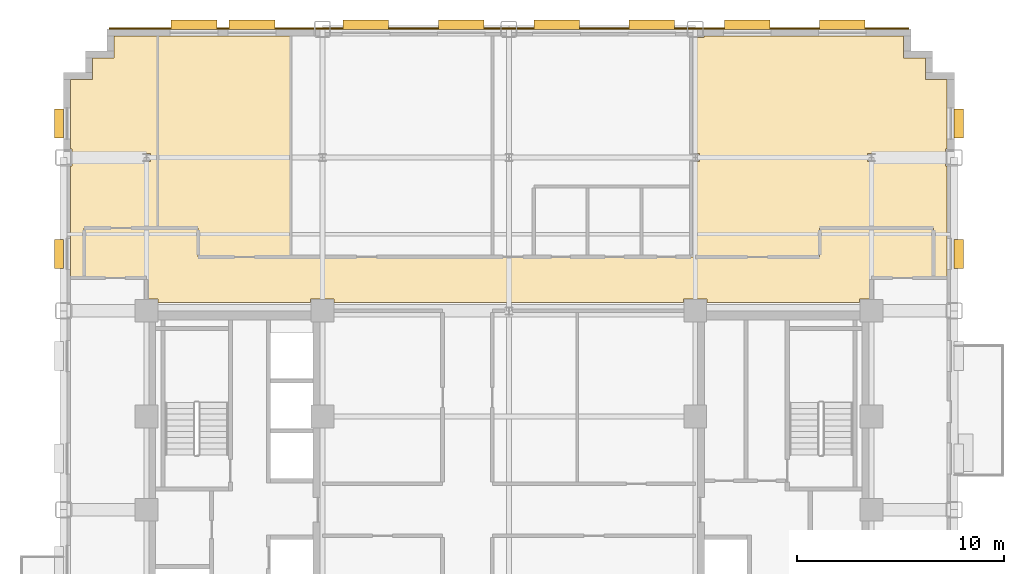
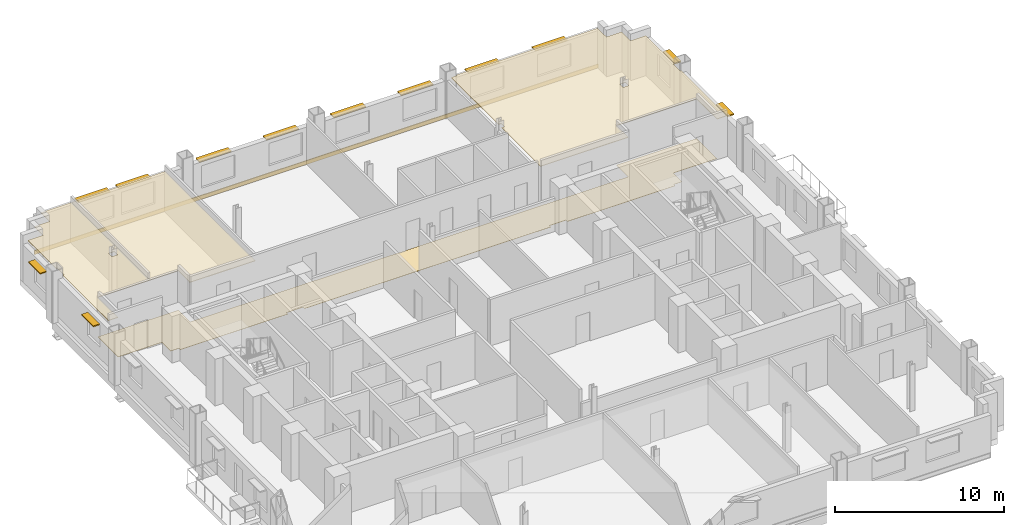
# One storey, part 14 of 14: 12 shading devices, 5 coverings.
"""IFC4 building model written with IfcOpenShell, lengths in metres."""

from ifc_helpers import new_model, si_unit, direction, frame, origin, origin_2d, place, context, subcontext, project, spatial, polyline, rectangle, outline, extrude, source, transform, mapped, material, layer, layer_set, type_object, type_shapes, element, save


model = new_model("IFC4")

# Units and contexts
model_context = context("Model", 3, precision=1e-05, world=origin(), true_north=direction((0.0, 1.0)))
body_context = subcontext(model_context, "Body", "Model", "MODEL_VIEW")
ifc_project = project(units=[si_unit("LENGTHUNIT", "METRE"), si_unit("AREAUNIT", "SQUARE_METRE"), si_unit("VOLUMEUNIT", "CUBIC_METRE"), si_unit("PLANEANGLEUNIT", "RADIAN"), si_unit("MASSUNIT", "GRAM", prefix="KILO")], contexts=[model_context])

# Site, building, storey
site_placement = place(None, origin())
site = spatial("IfcSite", under=ifc_project, at=site_placement, CompositionType="ELEMENT")
building_placement = place(site_placement, origin())
building = spatial("IfcBuilding", under=site, at=building_placement, Name="Nuvemarco Arch Tower", CompositionType="ELEMENT")
storey_placement = place(building_placement, frame((0.0, 0.0, 56.800048828125)))
storey = spatial("IfcBuildingStorey", under=building, at=storey_placement, Name="L14", CompositionType="ELEMENT", Elevation=56.800048828125)

# Coverings
ifc_material_1 = material(Name="Mineral acoustic ceiling tile")
ifc_layer_1 = layer(ifc_material_1, 0.0400390625, Name="COV-ACOUSTIC-CLG")
ifc_layer_set_1 = layer_set([ifc_layer_1], Name="Mineral acoustic ceiling tile")
covering_type_1 = type_object("IfcCoveringType", Name="COV-ACOUSTIC-CLG", PredefinedType="CEILING", material=ifc_layer_set_1)
covering_1_placement = place(storey_placement, frame((0.0, 0.0, 2.849853515625)))
element("IfcCovering", 1, at=covering_1_placement, inside=storey, type_object=covering_type_1, Name="L14 suspended acoustic ceiling 1", PredefinedType="CEILING", context=body_context, shape_type="SweptSolid", body=[
    extrude(outline(polyline([(21.159912109375, 20.760009765625), (21.159912109375, 17.4150390625), (21.0849609375, 17.4150390625), (21.0849609375, 16.5849609375), (21.159912109375, 16.5849609375), (21.159912109375, 11.199951171875), (20.5, 11.199951171875), (20.5, 13.60009765625), (15.0, 13.60009765625), (15.0, 12.199951171875), (9.0, 12.199951171875), (9.0, 16.804931640625), (9.195068359375, 16.804931640625), (9.195068359375, 17.195068359375), (9.0, 17.195068359375), (9.0, 22.784912109375), (9.4150390625, 22.784912109375), (9.4150390625, 22.860107421875), (19.06005859375, 22.860107421875), (19.06005859375, 21.81005859375), (20.110107421875, 21.81005859375), (20.110107421875, 20.760009765625), (21.159912109375, 20.760009765625)]), holes=[polyline([(17.695068359375, 16.804931640625), (17.695068359375, 17.195068359375), (17.304931640625, 17.195068359375), (17.304931640625, 16.804931640625), (17.695068359375, 16.804931640625)])]), origin(), (0.0, 0.0, 1.0), 0.0400390625),
])
covering_2_placement = place(storey_placement, frame((0.0, 0.0, 2.849853515625)))
element("IfcCovering", 2, at=covering_2_placement, inside=storey, type_object=covering_type_1, Name="L14 suspended acoustic ceiling 4", PredefinedType="CEILING", context=body_context, shape_type="SweptSolid", body=[
    extrude(outline(polyline([(-10.530029296875, 22.860107421875), (-10.530029296875, 12.199951171875), (-15.0, 12.199951171875), (-15.0, 13.60009765625), (-16.949951171875, 13.60009765625), (-16.949951171875, 22.860107421875), (-10.530029296875, 22.860107421875)])), origin(), (0.0, 0.0, 1.0), 0.0400390625),
])
covering_3_placement = place(storey_placement, frame((0.0, 0.0, 2.849853515625)))
element("IfcCovering", 3, at=covering_3_placement, inside=storey, type_object=covering_type_1, Name="L14 suspended acoustic ceiling 7", PredefinedType="CEILING", context=body_context, shape_type="SweptSolid", body=[
    extrude(outline(polyline([(-21.0849609375, 16.5849609375), (-21.0849609375, 17.4150390625), (-21.159912109375, 17.4150390625), (-21.159912109375, 20.760009765625), (-20.110107421875, 20.760009765625), (-20.110107421875, 21.81005859375), (-19.06005859375, 21.81005859375), (-19.06005859375, 22.860107421875), (-16.949951171875, 22.860107421875), (-16.949951171875, 13.60009765625), (-20.5, 13.60009765625), (-20.5, 11.199951171875), (-21.159912109375, 11.199951171875), (-21.159912109375, 16.5849609375), (-21.0849609375, 16.5849609375)]), holes=[polyline([(-17.304931640625, 16.804931640625), (-17.304931640625, 17.195068359375), (-17.695068359375, 17.195068359375), (-17.695068359375, 16.804931640625), (-17.304931640625, 16.804931640625)])]), origin(), (0.0, 0.0, 1.0), 0.0400390625),
])
ifc_material_2 = material(Name="Polished granite terrazzostone flooring", Category="masonry")
ifc_layer_2 = layer(ifc_material_2, 0.02001953125, Name="COV-LOBBY-FLR")
ifc_layer_set_2 = layer_set([ifc_layer_2], Name="Polished granite terrazzostone flooring")
covering_type_2 = type_object("IfcCoveringType", Name="COV-LOBBY-FLR", PredefinedType="FLOORING", material=ifc_layer_set_2)
covering_4_placement = place(storey_placement, origin())
element("IfcCovering", 4, at=covering_4_placement, inside=storey, type_object=covering_type_2, Name="L14 polished terrazzo lobby flooring", PredefinedType="FLOORING", context=body_context, shape_type="SweptSolid", body=[
    extrude(outline(polyline([(-8.43505859375, 10.1650390625), (-9.56494140625, 10.1650390625), (-9.56494140625, 10.0), (-16.93505859375, 10.0), (-16.93505859375, 10.1650390625), (-17.5, 10.1650390625), (-17.5, 11.199951171875), (-20.5, 11.199951171875), (-20.5, 13.60009765625), (-15.0, 13.60009765625), (-15.0, 12.199951171875), (-3.199951171875, 12.199951171875), (-0.800048828125, 12.199951171875), (15.0, 12.199951171875), (15.0, 13.60009765625), (20.5, 13.60009765625), (20.5, 11.199951171875), (17.5, 11.199951171875), (17.5, 10.1650390625), (16.93505859375, 10.1650390625), (16.93505859375, 10.0), (9.56494140625, 10.0), (9.56494140625, 10.1650390625), (8.43505859375, 10.1650390625), (8.43505859375, 10.0), (-8.43505859375, 10.0), (-8.43505859375, 10.1650390625)])), origin(), (0.0, 0.0, 1.0), 0.02001953125),
])

# Shading devices
ifc_material_3 = material(Name="Anodised aluminium 6063-T6", Category="aluminium")
shading_device_type_1 = type_object("IfcShadingDeviceType", Name="SHD-BRISE-SOLEIL", PredefinedType="USERDEFINED", material=ifc_material_3)
shared_shape_1 = source(origin(), body_context, "Body", "SweptSolid", [
    extrude(rectangle(XDim=2.199951171875, YDim=0.449951171875, at=origin_2d()), origin(), (0.0, 0.0, 1.0), 0.080078125),
])
type_shapes(shading_device_type_1, [shared_shape_1])
for number, where, z_axis, x_axis, name in (
    (5, (-15.199951171875, 23.4150390625, 2.4248046875), (0.0, 0.0, 1.0), (1.0, 0.0, 0.0), "L14 horizontal brise-soleil sunshade"),
    (6, (-12.39990234375, 23.4150390625, 2.4248046875), (0.0, 0.0, 1.0), (1.0, 0.0, 0.0), "L14 horizontal brise-soleil sunshade"),
    (7, (-6.89990234375, 23.4150390625, 2.4248046875), (0.0, 0.0, 1.0), (1.0, 0.0, 0.0), "L14 horizontal brise-soleil sunshade"),
    (8, (-2.300048828125, 23.4150390625, 2.4248046875), (0.0, 0.0, 1.0), (1.0, 0.0, 0.0), "L14 horizontal brise-soleil sunshade"),
    (9, (2.300048828125, 23.4150390625, 2.4248046875), (0.0, 0.0, 1.0), (1.0, 0.0, 0.0), "L14 horizontal brise-soleil sunshade"),
    (10, (6.89990234375, 23.4150390625, 2.4248046875), (0.0, 0.0, 1.0), (1.0, 0.0, 0.0), "L14 horizontal brise-soleil sunshade"),
    (11, (11.5, 23.4150390625, 2.4248046875), (0.0, 0.0, 1.0), (1.0, 0.0, 0.0), "L14 horizontal brise-soleil sunshade"),
    (12, (16.10009765625, 23.4150390625, 2.4248046875), (0.0, 0.0, 1.0), (1.0, 0.0, 0.0), "L14 horizontal brise-soleil sunshade"),
):
    element("IfcShadingDevice", number, at=place(storey_placement, frame(where, z_axis=z_axis, x_axis=x_axis)), inside=storey, type_object=shading_device_type_1, Name=name, ObjectType="SUNSHADE", PredefinedType="USERDEFINED", context=body_context, shape_type="MappedRepresentation", body=[
        mapped(shared_shape_1, transform((0.0, 0.0, 0.0), scale=1.0)),
    ])
shading_device_type_2 = type_object("IfcShadingDeviceType", Name="SHD-BRISE-NARROW", PredefinedType="USERDEFINED", material=ifc_material_3)
shared_shape_2 = source(origin(), body_context, "Body", "SweptSolid", [
    extrude(rectangle(XDim=1.39990234375, YDim=0.449951171875, at=origin_2d()), origin(), (0.0, 0.0, 1.0), 0.080078125),
])
type_shapes(shading_device_type_2, [shared_shape_2])
for number, where, z_axis, x_axis, name in (
    (13, (21.715087890625, 12.3525390625, 2.405029296875), (0.0, 0.0, 1.0), (0.0, 1.0, 0.0), "L14 horizontal brise-soleil sunshade"),
    (14, (21.715087890625, 18.6435546875, 2.405029296875), (0.0, 0.0, 1.0), (0.0, 1.0, 0.0), "L14 horizontal brise-soleil sunshade"),
    (15, (-21.715087890625, 12.3525390625, 2.405029296875), (0.0, 0.0, 1.0), (0.0, 1.0, 0.0), "L14 horizontal brise-soleil sunshade"),
    (16, (-21.715087890625, 18.6435546875, 2.405029296875), (0.0, 0.0, 1.0), (0.0, 1.0, 0.0), "L14 horizontal brise-soleil sunshade"),
):
    element("IfcShadingDevice", number, at=place(storey_placement, frame(where, z_axis=z_axis, x_axis=x_axis)), inside=storey, type_object=shading_device_type_2, Name=name, ObjectType="SUNSHADE", PredefinedType="USERDEFINED", context=body_context, shape_type="MappedRepresentation", body=[
        mapped(shared_shape_2, transform((0.0, 0.0, 0.0), scale=1.0)),
    ])

# Covering
ifc_material_4 = material(Name="Precast concrete C45/55", Category="concrete")
ifc_layer_3 = layer(ifc_material_4, 0.06005859375, Name="COV-SPANDREL-CLAD")
ifc_layer_set_3 = layer_set([ifc_layer_3], Name="Precast concrete C45/55")
covering_type_3 = type_object("IfcCoveringType", Name="COV-SPANDREL-CLAD", PredefinedType="CLADDING", material=ifc_layer_set_3)
shared_shape_3 = source(origin(), body_context, "Body", "SweptSolid", [
    extrude(rectangle(XDim=38.60009765625, YDim=0.06005859375, at=origin_2d()), origin(), (0.0, 0.0, 1.0), 0.280029296875),
])
type_shapes(covering_type_3, [shared_shape_3])
covering_5_placement = place(storey_placement, frame((0.0, 23.22900390625, -0.2802734375), z_axis=(0.0, 0.0, 1.0), x_axis=(1.0, 0.0, 0.0)))
element("IfcCovering", 17, at=covering_5_placement, inside=storey, type_object=covering_type_3, Name="L14 precast spandrel edge cladding north", PredefinedType="CLADDING", context=body_context, shape_type="MappedRepresentation", body=[
    mapped(shared_shape_3, transform((0.0, 0.0, 0.0), scale=1.0)),
])

save(model, "model.ifc")
